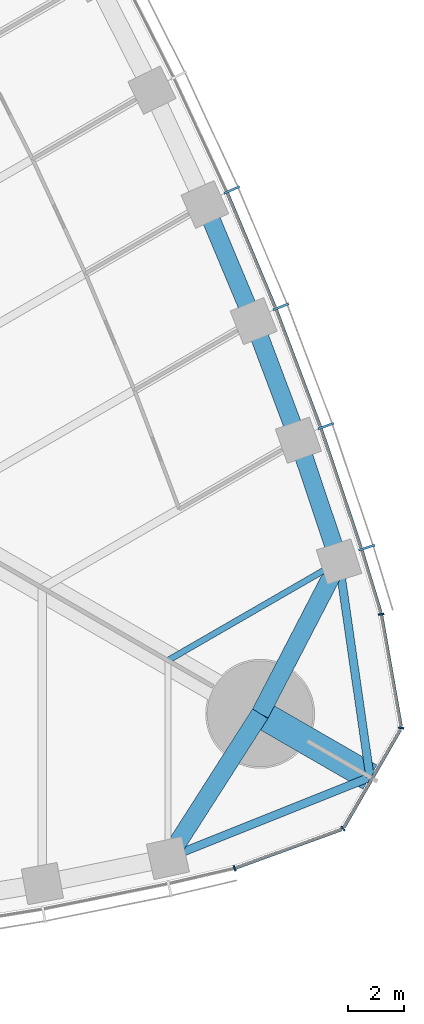
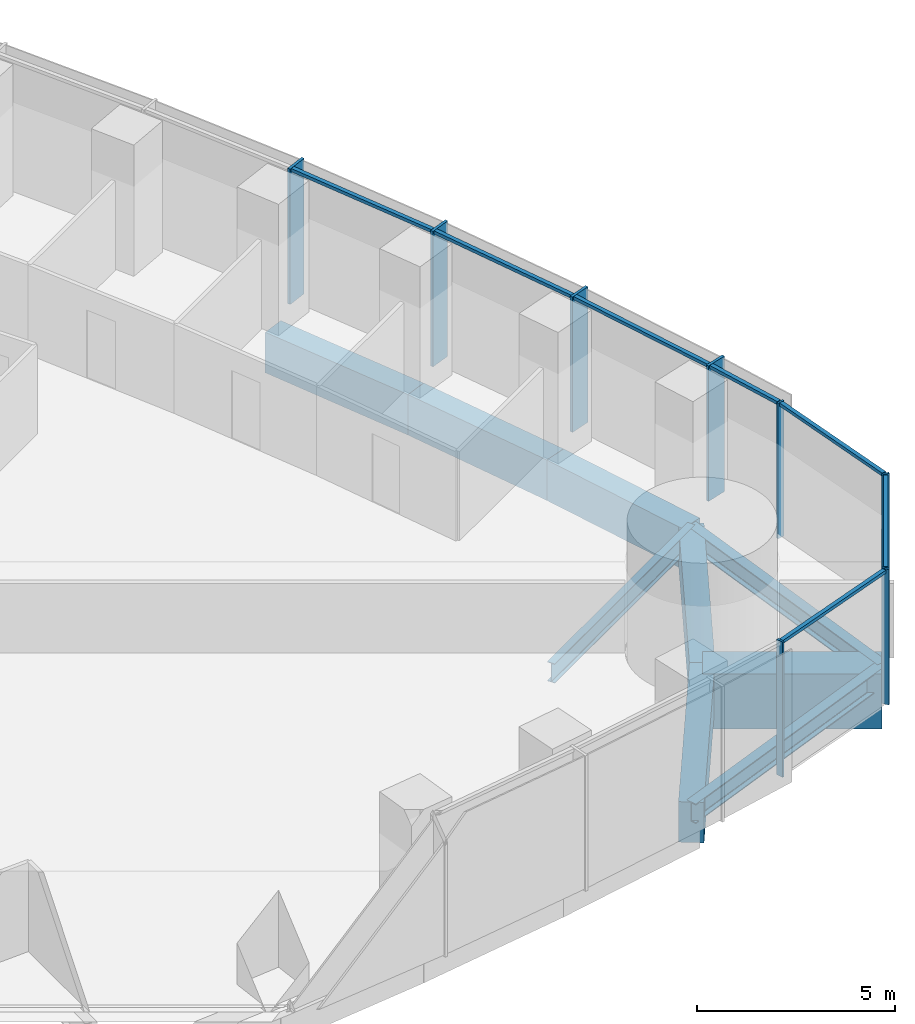
# One storey, part 8 of 19: 15 members, 9 beams, 2 elements without a shape of their own.
"""IFC4 building model written with IfcOpenShell, lengths in metres."""

from ifc_helpers import new_model, si_unit, direction, frame, origin, origin_2d, place, context, subcontext, project, spatial, rectangle, i_section, extrude, material, material_profile, profile_set, type_object, element, aggregate, save


model = new_model("IFC4")

# Units and contexts
model_context = context("Model", 3, precision=1e-05, world=origin(), true_north=direction((0.0, 1.0)))
body_context = subcontext(model_context, "Body", "Model", "MODEL_VIEW")
ifc_project = project(units=[si_unit("LENGTHUNIT", "METRE"), si_unit("AREAUNIT", "SQUARE_METRE"), si_unit("VOLUMEUNIT", "CUBIC_METRE"), si_unit("PLANEANGLEUNIT", "RADIAN"), si_unit("MASSUNIT", "GRAM", prefix="KILO")], contexts=[model_context])

# Site, building, storey
site_placement = place(None, origin())
site = spatial("IfcSite", under=ifc_project, at=site_placement, CompositionType="ELEMENT")
building_placement = place(site_placement, origin())
building = spatial("IfcBuilding", under=site, at=building_placement, Name="Trefoil Bronze Tower", CompositionType="ELEMENT")
storey_placement = place(building_placement, frame((0.0, 0.0, 124.10009765625)))
storey = spatial("IfcBuildingStorey", under=building, at=storey_placement, Name="L28", CompositionType="ELEMENT", Elevation=124.10009765625)

# Curtain wall, members
ifc_material_1 = material(Name="Tinted solar-control glass", Category="glass")
curtain_wall_type_1 = type_object("IfcCurtainWallType", Name="Bronze office curtain wall", PredefinedType="USERDEFINED", material=ifc_material_1)
curtain_wall_1_placement = place(storey_placement, origin())
curtain_wall_1 = element("IfcCurtainWall", 1, at=curtain_wall_1_placement, inside=storey, type_object=curtain_wall_type_1, Name="CW-A L28 F2", ObjectType="CURTAIN WALL", PredefinedType="USERDEFINED")
ifc_material_2 = material(Name="Bronze-finish aluminium", Category="aluminium")
ifc_material_profile_1 = material_profile(ifc_material_2, rectangle(XDim=0.60009765625, YDim=0.080078125, at=origin_2d()), Name="CW-A mullion")
ifc_profile_set_1 = profile_set([ifc_material_profile_1], Name="Bronze-finish aluminium")
member_type_1 = type_object("IfcMemberType", Name="Bronze office curtain wall mullion", PredefinedType="MULLION", material=ifc_profile_set_1)
member_1_placement = place(storey_placement, frame((34.1337890625, -11.543212890625, 0.0), z_axis=(0.0, 0.0, 1.0), x_axis=(-0.952331125357, -0.30506626768, 0.0)))
member_1 = element("IfcMember", 2, at=member_1_placement, type_object=member_type_1, Name="CW-A L28 F2 mullion 2", PredefinedType="MULLION", context=body_context, shape_type="SweptSolid", body=[
    extrude(rectangle(XDim=0.60009765625, YDim=0.080078125, at=origin_2d()), origin(), (0.0, 0.0, 1.0), 4.179931640625),
])
member_2_placement = place(storey_placement, frame((32.668701171875, -7.181884765625, 0.0), z_axis=(0.0, 0.0, 1.0), x_axis=(-0.94196250502, -0.335718094742, 0.0)))
member_2 = element("IfcMember", 3, at=member_2_placement, type_object=member_type_1, Name="CW-A L28 F2 mullion 3", PredefinedType="MULLION", context=body_context, shape_type="SweptSolid", body=[
    extrude(rectangle(XDim=0.60009765625, YDim=0.080078125, at=origin_2d()), origin(), (0.0, 0.0, 1.0), 4.179931640625),
])
member_3_placement = place(storey_placement, frame((31.055419921875, -2.90478515625, 0.0), z_axis=(0.0, 0.0, 1.0), x_axis=(-0.929071242848, -0.369900832269, 0.0)))
member_3 = element("IfcMember", 4, at=member_3_placement, type_object=member_type_1, Name="CW-A L28 F2 mullion 4", PredefinedType="MULLION", context=body_context, shape_type="SweptSolid", body=[
    extrude(rectangle(XDim=0.60009765625, YDim=0.080078125, at=origin_2d()), origin(), (0.0, 0.0, 1.0), 4.179931640625),
])
member_4_placement = place(storey_placement, frame((29.296875, 1.28857421875, 0.0), z_axis=(0.0, 0.0, 1.0), x_axis=(-0.915018269914, -0.40341240155, 0.0)))
member_4 = element("IfcMember", 5, at=member_4_placement, type_object=member_type_1, Name="CW-A L28 F2 mullion 5", PredefinedType="MULLION", context=body_context, shape_type="SweptSolid", body=[
    extrude(rectangle(XDim=0.60009765625, YDim=0.080078125, at=origin_2d()), origin(), (0.0, 0.0, 1.0), 4.179931640625),
])
ifc_material_3 = material(Name="Bronze-finish aluminium", Category="aluminium")
ifc_material_profile_2 = material_profile(ifc_material_3, rectangle(XDim=0.1201171875, YDim=0.10009765625, at=origin_2d()), Name="CW-A transom")
ifc_profile_set_2 = profile_set([ifc_material_profile_2], Name="Bronze-finish aluminium")
member_type_2 = type_object("IfcMemberType", Name="Bronze office curtain wall transom", PredefinedType="USERDEFINED", material=ifc_profile_set_2)
member_5_placement = place(storey_placement, frame((34.637939453125, -13.88232421875, 4.1298828125), z_axis=(-0.291680468798, 0.956515814883, 0.0), x_axis=(-0.956515814883, -0.291680468798, 0.0)))
member_5 = element("IfcMember", 6, at=member_5_placement, type_object=member_type_2, Name="CW-A L28 F2 transom 1", ObjectType="TRANSOM", PredefinedType="USERDEFINED", context=body_context, shape_type="SweptSolid", body=[
    extrude(rectangle(XDim=0.1201171875, YDim=0.10009765625, at=origin_2d()), origin(), (0.0, 0.0, 1.0), 2.34033203125),
])
member_6_placement = place(storey_placement, frame((33.929931640625, -11.56494140625, 4.1298828125), z_axis=(-0.318386323729, 0.947961048178, 0.0), x_axis=(-0.947961048178, -0.318386323729, 0.0)))
member_6 = element("IfcMember", 7, at=member_6_placement, type_object=member_type_2, Name="CW-A L28 F2 transom 2", ObjectType="TRANSOM", PredefinedType="USERDEFINED", context=body_context, shape_type="SweptSolid", body=[
    extrude(rectangle(XDim=0.1201171875, YDim=0.10009765625, at=origin_2d()), origin(), (0.0, 0.0, 1.0), 4.51123046875),
])
member_7_placement = place(storey_placement, frame((32.465576171875, -7.2099609375, 4.1298828125), z_axis=(-0.352932154759, 0.935648916067, 0.0), x_axis=(-0.935648916067, -0.352932154759, 0.0)))
member_7 = element("IfcMember", 8, at=member_7_placement, type_object=member_type_2, Name="CW-A L28 F2 transom 3", ObjectType="TRANSOM", PredefinedType="USERDEFINED", context=body_context, shape_type="SweptSolid", body=[
    extrude(rectangle(XDim=0.1201171875, YDim=0.10009765625, at=origin_2d()), origin(), (0.0, 0.0, 1.0), 4.48046875),
])
member_8_placement = place(storey_placement, frame((30.853515625, -2.940185546875, 4.1298828125), z_axis=(-0.386773266184, 0.922174842731, 0.0), x_axis=(-0.922174842731, -0.386773266184, 0.0)))
member_8 = element("IfcMember", 9, at=member_8_placement, type_object=member_type_2, Name="CW-A L28 F2 transom 4", ObjectType="TRANSOM", PredefinedType="USERDEFINED", context=body_context, shape_type="SweptSolid", body=[
    extrude(rectangle(XDim=0.1201171875, YDim=0.10009765625, at=origin_2d()), origin(), (0.0, 0.0, 1.0), 4.45654296875),
])
aggregate(curtain_wall_1, [member_1, member_2, member_3, member_4, member_5, member_6, member_7, member_8])

ifc_material_4 = material(Name="Tinted solar-control glass", Category="glass")
curtain_wall_type_2 = type_object("IfcCurtainWallType", Name="Bronze rounded corner curtain wall", PredefinedType="USERDEFINED", material=ifc_material_4)
curtain_wall_2_placement = place(storey_placement, origin())
curtain_wall_2 = element("IfcCurtainWall", 10, at=curtain_wall_2_placement, inside=storey, type_object=curtain_wall_type_2, Name="CW-B L28 K1", ObjectType="CURTAIN WALL", PredefinedType="USERDEFINED")
ifc_material_5 = material(Name="Bronze-finish aluminium", Category="aluminium")
ifc_material_profile_3 = material_profile(ifc_material_5, rectangle(XDim=0.199951171875, YDim=0.06005859375, at=origin_2d()), Name="CW-B mullion")
ifc_profile_set_3 = profile_set([ifc_material_profile_3], Name="Bronze-finish aluminium")
member_type_3 = type_object("IfcMemberType", Name="Bronze rounded corner curtain wall mullion", PredefinedType="MULLION", material=ifc_profile_set_3)
member_9_placement = place(storey_placement, frame((29.391845703125, -23.043701171875, 0.0), z_axis=(0.0, 0.0, 1.0), x_axis=(-0.342020143326, 0.939692620786, 0.0)))
member_9 = element("IfcMember", 11, at=member_9_placement, type_object=member_type_3, Name="CW-B L28 K1 mullion 1", PredefinedType="MULLION", context=body_context, shape_type="SweptSolid", body=[
    extrude(rectangle(XDim=0.199951171875, YDim=0.06005859375, at=origin_2d()), origin(), (0.0, 0.0, 1.0), 4.179931640625),
])
member_10_placement = place(storey_placement, frame((33.27880859375, -21.62255859375, 0.0), z_axis=(0.0, 0.0, 1.0), x_axis=(-0.642787609687, 0.766044443119, 0.0)))
member_10 = element("IfcMember", 12, at=member_10_placement, type_object=member_type_3, Name="CW-B L28 K1 mullion 2", PredefinedType="MULLION", context=body_context, shape_type="SweptSolid", body=[
    extrude(rectangle(XDim=0.199951171875, YDim=0.06005859375, at=origin_2d()), origin(), (0.0, 0.0, 1.0), 4.179931640625),
])
member_11_placement = place(storey_placement, frame((35.364990234375, -18.009033203125, 0.0), z_axis=(0.0, 0.0, 1.0), x_axis=(-0.984807753012, 0.173648177667, 0.0)))
member_11 = element("IfcMember", 13, at=member_11_placement, type_object=member_type_3, Name="CW-B L28 K1 mullion 3", PredefinedType="MULLION", context=body_context, shape_type="SweptSolid", body=[
    extrude(rectangle(XDim=0.199951171875, YDim=0.06005859375, at=origin_2d()), origin(), (0.0, 0.0, 1.0), 4.179931640625),
])
member_12_placement = place(storey_placement, frame((34.65234375, -13.932373046875, 0.0), z_axis=(0.0, 0.0, 1.0), x_axis=(-0.984807753012, -0.173648177667, 0.0)))
member_12 = element("IfcMember", 14, at=member_12_placement, type_object=member_type_3, Name="CW-B L28 K1 mullion 4", PredefinedType="MULLION", context=body_context, shape_type="SweptSolid", body=[
    extrude(rectangle(XDim=0.199951171875, YDim=0.06005859375, at=origin_2d()), origin(), (0.0, 0.0, 1.0), 4.179931640625),
])
ifc_material_6 = material(Name="Bronze-finish aluminium", Category="aluminium")
ifc_material_profile_4 = material_profile(ifc_material_6, rectangle(XDim=0.1201171875, YDim=0.10009765625, at=origin_2d()), Name="CW-B transom")
ifc_profile_set_4 = profile_set([ifc_material_profile_4], Name="Bronze-finish aluminium")
member_type_4 = type_object("IfcMemberType", Name="Bronze rounded corner curtain wall transom", PredefinedType="USERDEFINED", material=ifc_profile_set_4)
member_13_placement = place(storey_placement, frame((29.420166015625, -23.033447265625, 4.1298828125), z_axis=(0.939684096629, 0.342043562347, 0.0), x_axis=(-0.342043562347, 0.939684096629, 0.0)))
member_13 = element("IfcMember", 15, at=member_13_placement, type_object=member_type_4, Name="CW-B L28 K1 transom 1", ObjectType="TRANSOM", PredefinedType="USERDEFINED", context=body_context, shape_type="SweptSolid", body=[
    extrude(rectangle(XDim=0.1201171875, YDim=0.10009765625, at=origin_2d()), origin(), (0.0, 0.0, 1.0), 4.044189453125),
])
member_14_placement = place(storey_placement, frame((33.31591796875, -21.570068359375, 4.1298828125), z_axis=(0.500015078168, 0.866016698225, 0.0), x_axis=(-0.866016698225, 0.500015078168, 0.0)))
member_14 = element("IfcMember", 16, at=member_14_placement, type_object=member_type_4, Name="CW-B L28 K1 transom 2", ObjectType="TRANSOM", PredefinedType="USERDEFINED", context=body_context, shape_type="SweptSolid", body=[
    extrude(rectangle(XDim=0.1201171875, YDim=0.10009765625, at=origin_2d()), origin(), (0.0, 0.0, 1.0), 4.04443359375),
])
member_15_placement = place(storey_placement, frame((35.35986328125, -17.944580078125, 4.1298828125), z_axis=(-0.173682016639, 0.984801785689, 0.0), x_axis=(-0.984801785689, -0.173682016639, 0.0)))
member_15 = element("IfcMember", 17, at=member_15_placement, type_object=member_type_4, Name="CW-B L28 K1 transom 3", ObjectType="TRANSOM", PredefinedType="USERDEFINED", context=body_context, shape_type="SweptSolid", body=[
    extrude(rectangle(XDim=0.1201171875, YDim=0.10009765625, at=origin_2d()), origin(), (0.0, 0.0, 1.0), 4.044189453125),
])
aggregate(curtain_wall_2, [member_9, member_10, member_11, member_12, member_13, member_14, member_15])

# Beams
ifc_material_7 = material(Name="Concrete B80", Category="concrete")
ifc_material_profile_5 = material_profile(ifc_material_7, rectangle(XDim=1.0, YDim=1.699951171875, at=origin_2d()), Name="RC 1000x1700")
ifc_profile_set_5 = profile_set([ifc_material_profile_5], Name="Concrete B80")
beam_type_1 = type_object("IfcBeamType", Name="Corner cantilever RC 1000x1700", PredefinedType="BEAM", material=ifc_profile_set_5)
beam_1_placement = place(storey_placement, frame((30.310791015625, -17.5, -1.050048828125), z_axis=(0.866031878637, -0.499988785058, 0.0), x_axis=(0.499988785058, 0.866031878637, 0.0)))
element("IfcBeam", 18, at=beam_1_placement, inside=storey, type_object=beam_type_1, Name="Corner cantilever K1 L28", PredefinedType="BEAM", context=body_context, shape_type="SweptSolid", body=[
    extrude(rectangle(XDim=1.0, YDim=1.699951171875, at=origin_2d()), origin(), (0.0, 0.0, 1.0), 4.54931640625),
])
ifc_material_8 = material(Name="Steel C355", Category="steel")
ifc_material_profile_6 = material_profile(ifc_material_8, i_section(OverallWidth=0.300048828125, OverallDepth=0.60009765625, WebThickness=0.015380859375, FlangeThickness=0.030029296875, FilletRadius=0.027099609375, at=origin_2d()), Name="HEB 600")
ifc_profile_set_6 = profile_set([ifc_material_profile_6], Name="Steel C355")
beam_type_2 = type_object("IfcBeamType", Name="Corner edge beam HEB 600", PredefinedType="BEAM", material=ifc_profile_set_6)
for number, where, z_axis, x_axis, name in (
    (19, (27.0, -22.67724609375, -0.5), (0.928375332495, 0.371643972122, 0.0), (-0.371643972122, 0.928375332495, 0.0), "Corner edge beam F1A L28"),
    (20, (33.13916015625, -12.044189453125, -0.5), (0.142327214588, -0.989819662357, 0.0), (0.989819662357, 0.142327214588, 0.0), "Corner edge beam F2B L28"),
):
    element("IfcBeam", number, at=place(storey_placement, frame(where, z_axis=z_axis, x_axis=x_axis)), inside=storey, type_object=beam_type_2, Name=name, PredefinedType="BEAM", context=body_context, shape_type="SweptSolid", body=[
        extrude(i_section(OverallWidth=0.300048828125, OverallDepth=0.60009765625, WebThickness=0.015380859375, FlangeThickness=0.030029296875, FilletRadius=0.027099609375, at=origin_2d()), origin(), (0.0, 0.0, 1.0), 7.81005859375),
    ])
ifc_material_9 = material(Name="Concrete B80", Category="concrete")
ifc_material_profile_7 = material_profile(ifc_material_9, rectangle(XDim=0.64990234375, YDim=1.25, at=origin_2d()), Name="RC 650x1250")
ifc_profile_set_7 = profile_set([ifc_material_profile_7], Name="Concrete B80")
beam_type_3 = type_object("IfcBeamType", Name="End spandrel beam RC 650x1250", PredefinedType="SPANDREL", material=ifc_profile_set_7)
for number, where, z_axis, x_axis, name in (
    (21, (27.0, -22.67724609375, -0.8251953125), (0.53874814953, 0.84246687257, 0.0), (-0.84246687257, 0.53874814953, 0.0), "Spandrel F1.14 L28"),
    (22, (30.310791015625, -17.5, -0.8251953125), (0.460244107083, 0.887792409235, 0.0), (-0.887792409235, 0.460244107083, 0.0), "Spandrel F2.1 L28"),
):
    element("IfcBeam", number, at=place(storey_placement, frame(where, z_axis=z_axis, x_axis=x_axis)), inside=storey, type_object=beam_type_3, Name=name, PredefinedType="SPANDREL", context=body_context, shape_type="SweptSolid", body=[
        extrude(rectangle(XDim=0.64990234375, YDim=1.25, at=origin_2d()), origin(), (0.0, 0.0, 1.0), 6.145263671875),
    ])
ifc_material_10 = material(Name="Steel C355", Category="steel")
ifc_material_profile_8 = material_profile(ifc_material_10, i_section(OverallWidth=0.219970703125, OverallDepth=0.60009765625, WebThickness=0.011962890625, FlangeThickness=0.01904296875, FilletRadius=0.02392578125, at=origin_2d()), Name="IPE 600")
ifc_profile_set_8 = profile_set([ifc_material_profile_8], Name="Steel C355")
beam_type_4 = type_object("IfcBeamType", Name="Floor beam IPE 600", PredefinedType="BEAM", material=ifc_profile_set_8)
beam_2_placement = place(storey_placement, frame((33.13916015625, -12.044189453125, -0.5), z_axis=(-0.866041060244, -0.499972881236, 0.0), x_axis=(0.499972881236, -0.866041060244, 0.0)))
element("IfcBeam", 23, at=beam_2_placement, inside=storey, type_object=beam_type_4, Name="Floor beam F2/-6 L28", PredefinedType="BEAM", context=body_context, shape_type="SweptSolid", body=[
    extrude(i_section(OverallWidth=0.219970703125, OverallDepth=0.60009765625, WebThickness=0.011962890625, FlangeThickness=0.01904296875, FilletRadius=0.02392578125, at=origin_2d()), origin(), (0.0, 0.0, 1.0), 7.0888671875),
])
ifc_material_11 = material(Name="Concrete B80", Category="concrete")
ifc_material_profile_9 = material_profile(ifc_material_11, rectangle(XDim=0.64990234375, YDim=1.25, at=origin_2d()), Name="RC 650x1250")
ifc_profile_set_9 = profile_set([ifc_material_profile_9], Name="Concrete B80")
beam_type_5 = type_object("IfcBeamType", Name="Spandrel beam RC 650x1250", PredefinedType="SPANDREL", material=ifc_profile_set_9)
beam_3_placement = place(storey_placement, frame((33.13916015625, -12.044189453125, -0.8251953125), z_axis=(-0.31732802068, 0.948315837309, 0.0), x_axis=(-0.948315837309, -0.31732802068, 0.0)))
element("IfcBeam", 24, at=beam_3_placement, inside=storey, type_object=beam_type_5, Name="Spandrel F2.2 L28", PredefinedType="SPANDREL", context=body_context, shape_type="SweptSolid", body=[
    extrude(rectangle(XDim=0.64990234375, YDim=1.25, at=origin_2d()), origin(), (0.0, 0.0, 1.0), 4.59228515625),
])
beam_4_placement = place(storey_placement, frame((31.681884765625, -7.689208984375, -0.8251953125), z_axis=(-0.351938675523, 0.936023059904, 0.0), x_axis=(-0.936023059904, -0.351938675523, 0.0)))
element("IfcBeam", 25, at=beam_4_placement, inside=storey, type_object=beam_type_5, Name="Spandrel F2.3 L28", PredefinedType="SPANDREL", context=body_context, shape_type="SweptSolid", body=[
    extrude(rectangle(XDim=0.64990234375, YDim=1.25, at=origin_2d()), origin(), (0.0, 0.0, 1.0), 4.56103515625),
])
beam_5_placement = place(storey_placement, frame((30.07666015625, -3.419921875, -0.8251953125), z_axis=(-0.386013490858, 0.922493135408, 0.0), x_axis=(-0.922493135408, -0.386013490858, 0.0)))
element("IfcBeam", 26, at=beam_5_placement, inside=storey, type_object=beam_type_5, Name="Spandrel F2.4 L28", PredefinedType="SPANDREL", context=body_context, shape_type="SweptSolid", body=[
    extrude(rectangle(XDim=0.64990234375, YDim=1.25, at=origin_2d()), origin(), (0.0, 0.0, 1.0), 4.53662109375),
])

save(model, "model.ifc")
